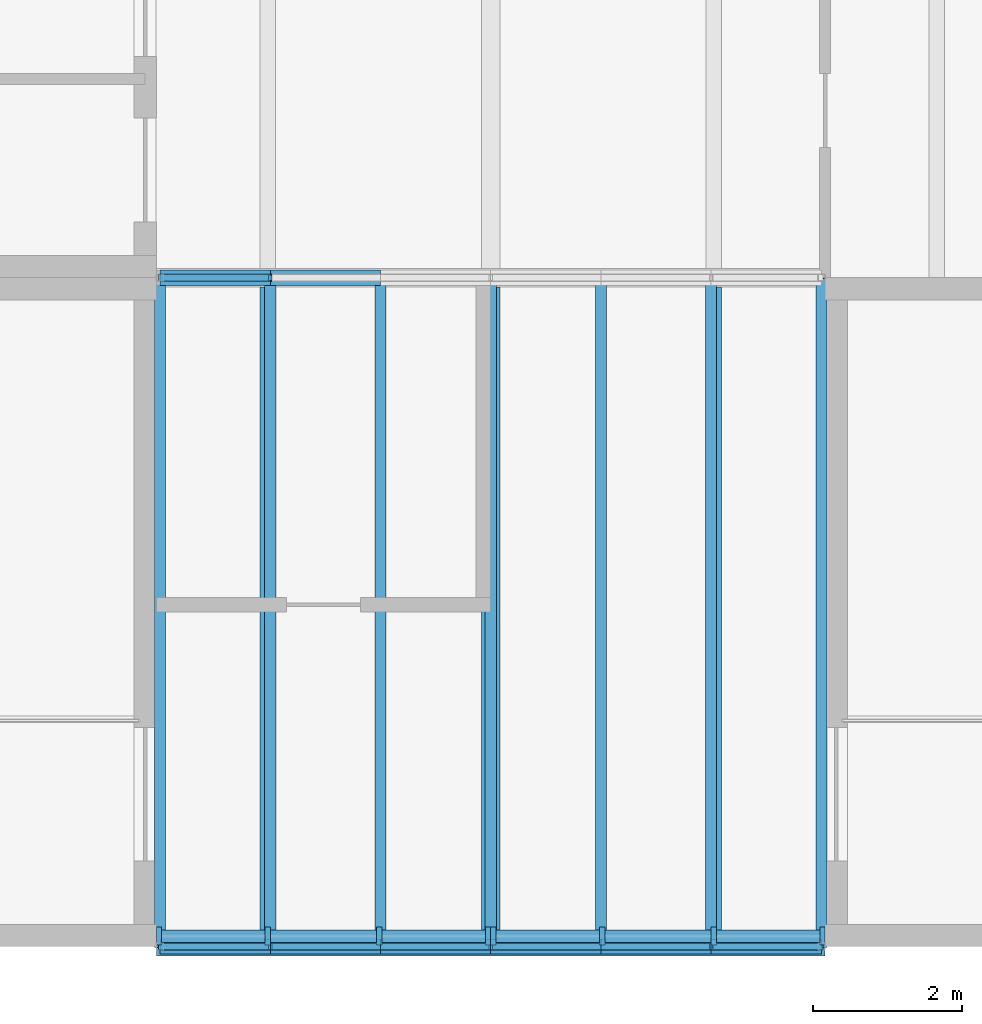
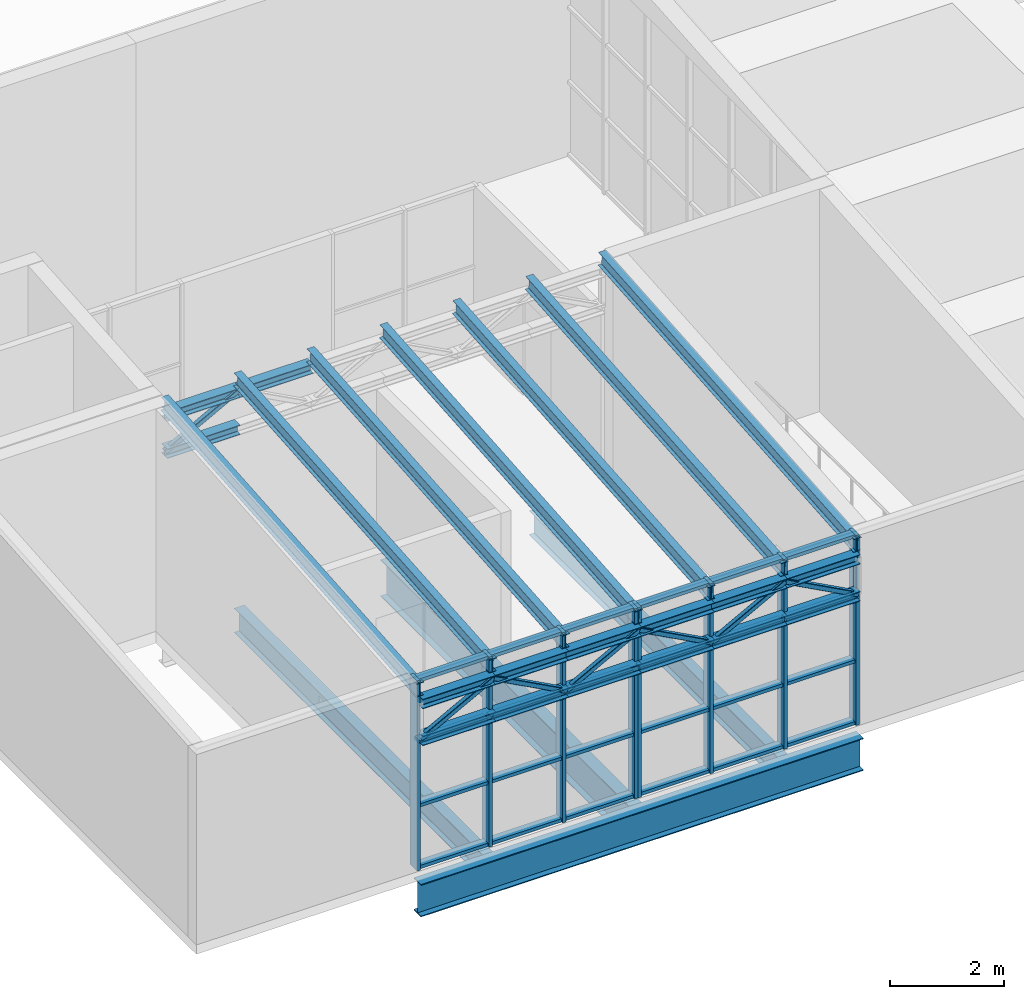
# One storey, part 8 of 61: 61 members, 4 beams, 2 elements without a shape of their own.
"""IFC4 building model written with IfcOpenShell, lengths in metres."""

from ifc_helpers import new_model, si_unit, direction, frame, origin, origin_2d, place, context, subcontext, project, spatial, rectangle, hollow_rectangle, i_section, extrude, material, layer, layer_set, material_profile, profile_set, type_object, element, aggregate, save


model = new_model("IFC4")

# Units and contexts
model_context = context("Model", 3, precision=1e-05, world=origin(), true_north=direction((0.0, 1.0)))
body_context = subcontext(model_context, "Body", "Model", "MODEL_VIEW")
ifc_project = project(units=[si_unit("LENGTHUNIT", "METRE"), si_unit("AREAUNIT", "SQUARE_METRE"), si_unit("VOLUMEUNIT", "CUBIC_METRE"), si_unit("PLANEANGLEUNIT", "RADIAN"), si_unit("MASSUNIT", "GRAM", prefix="KILO")], contexts=[model_context])

# Site, building, storey
site_placement = place(None, origin())
site = spatial("IfcSite", under=ifc_project, at=site_placement, CompositionType="ELEMENT")
building_placement = place(site_placement, origin())
building = spatial("IfcBuilding", under=site, at=building_placement, Name="Halyard Row Museum", CompositionType="ELEMENT")
storey_placement = place(building_placement, frame((0.0, 0.0, 9.199951171875)))
storey = spatial("IfcBuildingStorey", under=building, at=storey_placement, Name="L02", CompositionType="ELEMENT", Elevation=9.199951171875)

# Curtain wall, members
ifc_material_1 = material(Name="Acoustic laminated double glazed unit", Category="glass")
ifc_layer = layer(ifc_material_1, 0.239990234375)
ifc_layer_set = layer_set([ifc_layer], Name="Acoustic laminated double glazed unit")
curtain_wall_type = type_object("IfcCurtainWallType", Name="Curtain wall foyer 240 deep", PredefinedType="NOTDEFINED", material=ifc_layer_set)
curtain_wall_1_placement = place(storey_placement, origin())
curtain_wall_1 = element("IfcCurtainWall", 1, at=curtain_wall_1_placement, inside=storey, type_object=curtain_wall_type, Name="Curtain wall CW041", PredefinedType="NOTDEFINED")
ifc_material_2 = material(Name="Powder-coated aluminium section", Category="aluminium")
ifc_material_profile_1 = material_profile(ifc_material_2, rectangle(XDim=0.239990234375, YDim=0.070068359375, at=origin_2d()), Name="240x70 mullion")
ifc_profile_set_1 = profile_set([ifc_material_profile_1], Name="Powder-coated aluminium section")
member_type_1 = type_object("IfcMemberType", Name="Curtain wall mullion CM4 70 x 240", PredefinedType="MULLION", material=ifc_profile_set_1)
member_1_placement = place(storey_placement, frame((4.534912109375, 0.139892578125, 0.0), z_axis=(0.0, 0.0, 1.0), x_axis=(0.0, 1.0, 0.0)))
member_1 = element("IfcMember", 2, at=member_1_placement, type_object=member_type_1, Name="CW041 mullion 1", PredefinedType="MULLION", context=body_context, shape_type="SweptSolid", body=[
    extrude(rectangle(XDim=0.239990234375, YDim=0.070068359375, at=origin_2d()), origin(), (0.0, 0.0, 1.0), 4.08935546875),
])
member_2_placement = place(storey_placement, frame((6.0, 0.139892578125, 0.0), z_axis=(0.0, 0.0, 1.0), x_axis=(0.0, 1.0, 0.0)))
member_2 = element("IfcMember", 3, at=member_2_placement, type_object=member_type_1, Name="CW041 mullion 2", PredefinedType="MULLION", context=body_context, shape_type="SweptSolid", body=[
    extrude(rectangle(XDim=0.239990234375, YDim=0.070068359375, at=origin_2d()), origin(), (0.0, 0.0, 1.0), 4.08935546875),
])
member_3_placement = place(storey_placement, frame((7.5, 0.139892578125, 0.0), z_axis=(0.0, 0.0, 1.0), x_axis=(0.0, 1.0, 0.0)))
member_3 = element("IfcMember", 4, at=member_3_placement, type_object=member_type_1, Name="CW041 mullion 3", PredefinedType="MULLION", context=body_context, shape_type="SweptSolid", body=[
    extrude(rectangle(XDim=0.239990234375, YDim=0.070068359375, at=origin_2d()), origin(), (0.0, 0.0, 1.0), 4.08935546875),
])
member_4_placement = place(storey_placement, frame((8.965087890625, 0.139892578125, 0.0), z_axis=(0.0, 0.0, 1.0), x_axis=(0.0, 1.0, 0.0)))
member_4 = element("IfcMember", 5, at=member_4_placement, type_object=member_type_1, Name="CW041 mullion 4", PredefinedType="MULLION", context=body_context, shape_type="SweptSolid", body=[
    extrude(rectangle(XDim=0.239990234375, YDim=0.070068359375, at=origin_2d()), origin(), (0.0, 0.0, 1.0), 4.08935546875),
])

curtain_wall_2_placement = place(storey_placement, origin())
curtain_wall_2 = element("IfcCurtainWall", 6, at=curtain_wall_2_placement, inside=storey, type_object=curtain_wall_type, Name="Curtain wall CW042", PredefinedType="NOTDEFINED")
member_5_placement = place(storey_placement, frame((9.034912109375, 0.139892578125, 0.0), z_axis=(0.0, 0.0, 1.0), x_axis=(0.0, 1.0, 0.0)))
member_5 = element("IfcMember", 7, at=member_5_placement, type_object=member_type_1, Name="CW042 mullion 1", PredefinedType="MULLION", context=body_context, shape_type="SweptSolid", body=[
    extrude(rectangle(XDim=0.239990234375, YDim=0.070068359375, at=origin_2d()), origin(), (0.0, 0.0, 1.0), 4.08935546875),
])
member_6_placement = place(storey_placement, frame((10.5, 0.139892578125, 0.0), z_axis=(0.0, 0.0, 1.0), x_axis=(0.0, 1.0, 0.0)))
member_6 = element("IfcMember", 8, at=member_6_placement, type_object=member_type_1, Name="CW042 mullion 2", PredefinedType="MULLION", context=body_context, shape_type="SweptSolid", body=[
    extrude(rectangle(XDim=0.239990234375, YDim=0.070068359375, at=origin_2d()), origin(), (0.0, 0.0, 1.0), 4.08935546875),
])
member_7_placement = place(storey_placement, frame((12.0, 0.139892578125, 0.0), z_axis=(0.0, 0.0, 1.0), x_axis=(0.0, 1.0, 0.0)))
member_7 = element("IfcMember", 9, at=member_7_placement, type_object=member_type_1, Name="CW042 mullion 3", PredefinedType="MULLION", context=body_context, shape_type="SweptSolid", body=[
    extrude(rectangle(XDim=0.239990234375, YDim=0.070068359375, at=origin_2d()), origin(), (0.0, 0.0, 1.0), 4.08935546875),
])
member_8_placement = place(storey_placement, frame((13.465087890625, 0.139892578125, 0.0), z_axis=(0.0, 0.0, 1.0), x_axis=(0.0, 1.0, 0.0)))
member_8 = element("IfcMember", 10, at=member_8_placement, type_object=member_type_1, Name="CW042 mullion 4", PredefinedType="MULLION", context=body_context, shape_type="SweptSolid", body=[
    extrude(rectangle(XDim=0.239990234375, YDim=0.070068359375, at=origin_2d()), origin(), (0.0, 0.0, 1.0), 4.08935546875),
])

# Member
ifc_material_3 = material(Name="Powder-coated aluminium section", Category="aluminium")
ifc_material_profile_2 = material_profile(ifc_material_3, rectangle(XDim=0.169921875, YDim=0.070068359375, at=origin_2d()), Name="170x70 transom")
ifc_profile_set_2 = profile_set([ifc_material_profile_2], Name="Powder-coated aluminium section")
member_type_2 = type_object("IfcMemberType", Name="Curtain wall transom CT4 70 x 170", PredefinedType="USERDEFINED", material=ifc_profile_set_2)
member_9_placement = place(storey_placement, frame((4.570068359375, 0.139892578125, 0.03515625), z_axis=(1.0, 0.0, 0.0), x_axis=(0.0, 1.0, 0.0)))
member_9 = element("IfcMember", 11, at=member_9_placement, type_object=member_type_2, Name="CW041 transom 1.1", ObjectType="TRANSOM", PredefinedType="USERDEFINED", context=body_context, shape_type="SweptSolid", body=[
    extrude(rectangle(XDim=0.169921875, YDim=0.070068359375, at=origin_2d()), origin(), (0.0, 0.0, 1.0), 1.39501953125),
])

member_10_placement = place(storey_placement, frame((4.570068359375, 0.139892578125, 1.363037109375), z_axis=(1.0, 0.0, 0.0), x_axis=(0.0, 1.0, 0.0)))
member_10 = element("IfcMember", 12, at=member_10_placement, type_object=member_type_2, Name="CW041 transom 1.2", ObjectType="TRANSOM", PredefinedType="USERDEFINED", context=body_context, shape_type="SweptSolid", body=[
    extrude(rectangle(XDim=0.169921875, YDim=0.070068359375, at=origin_2d()), origin(), (0.0, 0.0, 1.0), 1.39501953125),
])

member_11_placement = place(storey_placement, frame((4.570068359375, 0.139892578125, 2.72607421875), z_axis=(1.0, 0.0, 0.0), x_axis=(0.0, 1.0, 0.0)))
member_11 = element("IfcMember", 13, at=member_11_placement, type_object=member_type_2, Name="CW041 transom 1.3", ObjectType="TRANSOM", PredefinedType="USERDEFINED", context=body_context, shape_type="SweptSolid", body=[
    extrude(rectangle(XDim=0.169921875, YDim=0.070068359375, at=origin_2d()), origin(), (0.0, 0.0, 1.0), 1.39501953125),
])

member_12_placement = place(storey_placement, frame((4.570068359375, 0.139892578125, 4.05419921875), z_axis=(1.0, 0.0, 0.0), x_axis=(0.0, 1.0, 0.0)))
member_12 = element("IfcMember", 14, at=member_12_placement, type_object=member_type_2, Name="CW041 transom 1.4", ObjectType="TRANSOM", PredefinedType="USERDEFINED", context=body_context, shape_type="SweptSolid", body=[
    extrude(rectangle(XDim=0.169921875, YDim=0.070068359375, at=origin_2d()), origin(), (0.0, 0.0, 1.0), 1.39501953125),
])

member_13_placement = place(storey_placement, frame((6.034912109375, 0.139892578125, 0.03515625), z_axis=(1.0, 0.0, 0.0), x_axis=(0.0, 1.0, 0.0)))
member_13 = element("IfcMember", 15, at=member_13_placement, type_object=member_type_2, Name="CW041 transom 2.1", ObjectType="TRANSOM", PredefinedType="USERDEFINED", context=body_context, shape_type="SweptSolid", body=[
    extrude(rectangle(XDim=0.169921875, YDim=0.070068359375, at=origin_2d()), origin(), (0.0, 0.0, 1.0), 1.43017578125),
])

member_14_placement = place(storey_placement, frame((6.034912109375, 0.139892578125, 1.363037109375), z_axis=(1.0, 0.0, 0.0), x_axis=(0.0, 1.0, 0.0)))
member_14 = element("IfcMember", 16, at=member_14_placement, type_object=member_type_2, Name="CW041 transom 2.2", ObjectType="TRANSOM", PredefinedType="USERDEFINED", context=body_context, shape_type="SweptSolid", body=[
    extrude(rectangle(XDim=0.169921875, YDim=0.070068359375, at=origin_2d()), origin(), (0.0, 0.0, 1.0), 1.43017578125),
])

member_15_placement = place(storey_placement, frame((6.034912109375, 0.139892578125, 2.72607421875), z_axis=(1.0, 0.0, 0.0), x_axis=(0.0, 1.0, 0.0)))
member_15 = element("IfcMember", 17, at=member_15_placement, type_object=member_type_2, Name="CW041 transom 2.3", ObjectType="TRANSOM", PredefinedType="USERDEFINED", context=body_context, shape_type="SweptSolid", body=[
    extrude(rectangle(XDim=0.169921875, YDim=0.070068359375, at=origin_2d()), origin(), (0.0, 0.0, 1.0), 1.43017578125),
])

member_16_placement = place(storey_placement, frame((6.034912109375, 0.139892578125, 4.05419921875), z_axis=(1.0, 0.0, 0.0), x_axis=(0.0, 1.0, 0.0)))
member_16 = element("IfcMember", 18, at=member_16_placement, type_object=member_type_2, Name="CW041 transom 2.4", ObjectType="TRANSOM", PredefinedType="USERDEFINED", context=body_context, shape_type="SweptSolid", body=[
    extrude(rectangle(XDim=0.169921875, YDim=0.070068359375, at=origin_2d()), origin(), (0.0, 0.0, 1.0), 1.43017578125),
])

member_17_placement = place(storey_placement, frame((7.534912109375, 0.139892578125, 0.03515625), z_axis=(1.0, 0.0, 0.0), x_axis=(0.0, 1.0, 0.0)))
member_17 = element("IfcMember", 19, at=member_17_placement, type_object=member_type_2, Name="CW041 transom 3.1", ObjectType="TRANSOM", PredefinedType="USERDEFINED", context=body_context, shape_type="SweptSolid", body=[
    extrude(rectangle(XDim=0.169921875, YDim=0.070068359375, at=origin_2d()), origin(), (0.0, 0.0, 1.0), 1.39501953125),
])

member_18_placement = place(storey_placement, frame((7.534912109375, 0.139892578125, 1.363037109375), z_axis=(1.0, 0.0, 0.0), x_axis=(0.0, 1.0, 0.0)))
member_18 = element("IfcMember", 20, at=member_18_placement, type_object=member_type_2, Name="CW041 transom 3.2", ObjectType="TRANSOM", PredefinedType="USERDEFINED", context=body_context, shape_type="SweptSolid", body=[
    extrude(rectangle(XDim=0.169921875, YDim=0.070068359375, at=origin_2d()), origin(), (0.0, 0.0, 1.0), 1.39501953125),
])

member_19_placement = place(storey_placement, frame((7.534912109375, 0.139892578125, 2.72607421875), z_axis=(1.0, 0.0, 0.0), x_axis=(0.0, 1.0, 0.0)))
member_19 = element("IfcMember", 21, at=member_19_placement, type_object=member_type_2, Name="CW041 transom 3.3", ObjectType="TRANSOM", PredefinedType="USERDEFINED", context=body_context, shape_type="SweptSolid", body=[
    extrude(rectangle(XDim=0.169921875, YDim=0.070068359375, at=origin_2d()), origin(), (0.0, 0.0, 1.0), 1.39501953125),
])

member_20_placement = place(storey_placement, frame((7.534912109375, 0.139892578125, 4.05419921875), z_axis=(1.0, 0.0, 0.0), x_axis=(0.0, 1.0, 0.0)))
member_20 = element("IfcMember", 22, at=member_20_placement, type_object=member_type_2, Name="CW041 transom 3.4", ObjectType="TRANSOM", PredefinedType="USERDEFINED", context=body_context, shape_type="SweptSolid", body=[
    extrude(rectangle(XDim=0.169921875, YDim=0.070068359375, at=origin_2d()), origin(), (0.0, 0.0, 1.0), 1.39501953125),
])

aggregate(curtain_wall_1, [member_1, member_2, member_3, member_4, member_9, member_10, member_11, member_12, member_13, member_14, member_15, member_16, member_17, member_18, member_19, member_20])

member_21_placement = place(storey_placement, frame((9.070068359375, 0.139892578125, 0.03515625), z_axis=(1.0, 0.0, 0.0), x_axis=(0.0, 1.0, 0.0)))
member_21 = element("IfcMember", 23, at=member_21_placement, type_object=member_type_2, Name="CW042 transom 1.1", ObjectType="TRANSOM", PredefinedType="USERDEFINED", context=body_context, shape_type="SweptSolid", body=[
    extrude(rectangle(XDim=0.169921875, YDim=0.070068359375, at=origin_2d()), origin(), (0.0, 0.0, 1.0), 1.39501953125),
])

member_22_placement = place(storey_placement, frame((9.070068359375, 0.139892578125, 1.363037109375), z_axis=(1.0, 0.0, 0.0), x_axis=(0.0, 1.0, 0.0)))
member_22 = element("IfcMember", 24, at=member_22_placement, type_object=member_type_2, Name="CW042 transom 1.2", ObjectType="TRANSOM", PredefinedType="USERDEFINED", context=body_context, shape_type="SweptSolid", body=[
    extrude(rectangle(XDim=0.169921875, YDim=0.070068359375, at=origin_2d()), origin(), (0.0, 0.0, 1.0), 1.39501953125),
])

member_23_placement = place(storey_placement, frame((9.070068359375, 0.139892578125, 2.72607421875), z_axis=(1.0, 0.0, 0.0), x_axis=(0.0, 1.0, 0.0)))
member_23 = element("IfcMember", 25, at=member_23_placement, type_object=member_type_2, Name="CW042 transom 1.3", ObjectType="TRANSOM", PredefinedType="USERDEFINED", context=body_context, shape_type="SweptSolid", body=[
    extrude(rectangle(XDim=0.169921875, YDim=0.070068359375, at=origin_2d()), origin(), (0.0, 0.0, 1.0), 1.39501953125),
])

member_24_placement = place(storey_placement, frame((9.070068359375, 0.139892578125, 4.05419921875), z_axis=(1.0, 0.0, 0.0), x_axis=(0.0, 1.0, 0.0)))
member_24 = element("IfcMember", 26, at=member_24_placement, type_object=member_type_2, Name="CW042 transom 1.4", ObjectType="TRANSOM", PredefinedType="USERDEFINED", context=body_context, shape_type="SweptSolid", body=[
    extrude(rectangle(XDim=0.169921875, YDim=0.070068359375, at=origin_2d()), origin(), (0.0, 0.0, 1.0), 1.39501953125),
])

member_25_placement = place(storey_placement, frame((10.534912109375, 0.139892578125, 0.03515625), z_axis=(1.0, 0.0, 0.0), x_axis=(0.0, 1.0, 0.0)))
member_25 = element("IfcMember", 27, at=member_25_placement, type_object=member_type_2, Name="CW042 transom 2.1", ObjectType="TRANSOM", PredefinedType="USERDEFINED", context=body_context, shape_type="SweptSolid", body=[
    extrude(rectangle(XDim=0.169921875, YDim=0.070068359375, at=origin_2d()), origin(), (0.0, 0.0, 1.0), 1.43017578125),
])

member_26_placement = place(storey_placement, frame((10.534912109375, 0.139892578125, 1.363037109375), z_axis=(1.0, 0.0, 0.0), x_axis=(0.0, 1.0, 0.0)))
member_26 = element("IfcMember", 28, at=member_26_placement, type_object=member_type_2, Name="CW042 transom 2.2", ObjectType="TRANSOM", PredefinedType="USERDEFINED", context=body_context, shape_type="SweptSolid", body=[
    extrude(rectangle(XDim=0.169921875, YDim=0.070068359375, at=origin_2d()), origin(), (0.0, 0.0, 1.0), 1.43017578125),
])

member_27_placement = place(storey_placement, frame((10.534912109375, 0.139892578125, 2.72607421875), z_axis=(1.0, 0.0, 0.0), x_axis=(0.0, 1.0, 0.0)))
member_27 = element("IfcMember", 29, at=member_27_placement, type_object=member_type_2, Name="CW042 transom 2.3", ObjectType="TRANSOM", PredefinedType="USERDEFINED", context=body_context, shape_type="SweptSolid", body=[
    extrude(rectangle(XDim=0.169921875, YDim=0.070068359375, at=origin_2d()), origin(), (0.0, 0.0, 1.0), 1.43017578125),
])

member_28_placement = place(storey_placement, frame((10.534912109375, 0.139892578125, 4.05419921875), z_axis=(1.0, 0.0, 0.0), x_axis=(0.0, 1.0, 0.0)))
member_28 = element("IfcMember", 30, at=member_28_placement, type_object=member_type_2, Name="CW042 transom 2.4", ObjectType="TRANSOM", PredefinedType="USERDEFINED", context=body_context, shape_type="SweptSolid", body=[
    extrude(rectangle(XDim=0.169921875, YDim=0.070068359375, at=origin_2d()), origin(), (0.0, 0.0, 1.0), 1.43017578125),
])

member_29_placement = place(storey_placement, frame((12.034912109375, 0.139892578125, 0.03515625), z_axis=(1.0, 0.0, 0.0), x_axis=(0.0, 1.0, 0.0)))
member_29 = element("IfcMember", 31, at=member_29_placement, type_object=member_type_2, Name="CW042 transom 3.1", ObjectType="TRANSOM", PredefinedType="USERDEFINED", context=body_context, shape_type="SweptSolid", body=[
    extrude(rectangle(XDim=0.169921875, YDim=0.070068359375, at=origin_2d()), origin(), (0.0, 0.0, 1.0), 1.39501953125),
])

member_30_placement = place(storey_placement, frame((12.034912109375, 0.139892578125, 1.363037109375), z_axis=(1.0, 0.0, 0.0), x_axis=(0.0, 1.0, 0.0)))
member_30 = element("IfcMember", 32, at=member_30_placement, type_object=member_type_2, Name="CW042 transom 3.2", ObjectType="TRANSOM", PredefinedType="USERDEFINED", context=body_context, shape_type="SweptSolid", body=[
    extrude(rectangle(XDim=0.169921875, YDim=0.070068359375, at=origin_2d()), origin(), (0.0, 0.0, 1.0), 1.39501953125),
])

member_31_placement = place(storey_placement, frame((12.034912109375, 0.139892578125, 2.72607421875), z_axis=(1.0, 0.0, 0.0), x_axis=(0.0, 1.0, 0.0)))
member_31 = element("IfcMember", 33, at=member_31_placement, type_object=member_type_2, Name="CW042 transom 3.3", ObjectType="TRANSOM", PredefinedType="USERDEFINED", context=body_context, shape_type="SweptSolid", body=[
    extrude(rectangle(XDim=0.169921875, YDim=0.070068359375, at=origin_2d()), origin(), (0.0, 0.0, 1.0), 1.39501953125),
])

member_32_placement = place(storey_placement, frame((12.034912109375, 0.139892578125, 4.05419921875), z_axis=(1.0, 0.0, 0.0), x_axis=(0.0, 1.0, 0.0)))
member_32 = element("IfcMember", 34, at=member_32_placement, type_object=member_type_2, Name="CW042 transom 3.4", ObjectType="TRANSOM", PredefinedType="USERDEFINED", context=body_context, shape_type="SweptSolid", body=[
    extrude(rectangle(XDim=0.169921875, YDim=0.070068359375, at=origin_2d()), origin(), (0.0, 0.0, 1.0), 1.39501953125),
])

aggregate(curtain_wall_2, [member_5, member_6, member_7, member_8, member_21, member_22, member_23, member_24, member_25, member_26, member_27, member_28, member_29, member_30, member_31, member_32])

# Beams
ifc_material_4 = material(Name="Steel Grade 300", Category="steel")
ifc_material_profile_3 = material_profile(ifc_material_4, i_section(OverallWidth=0.25, OverallDepth=0.699951171875, WebThickness=0.010009765625, FlangeThickness=0.02001953125, at=origin_2d()), Name="700WB130")
ifc_profile_set_3 = profile_set([ifc_material_profile_3], Name="Steel Grade 300")
beam_type_1 = type_object("IfcBeamType", Name="Edge beam 700WB130 (lowered 35)", PredefinedType="BEAM", material=ifc_profile_set_3)
beam_1_placement = place(storey_placement, frame((4.5, 0.0, -0.550048828125), z_axis=(1.0, 0.0, 0.0), x_axis=(0.0, 1.0, 0.0)))
element("IfcBeam", 35, at=beam_1_placement, inside=storey, type_object=beam_type_1, Name="Beam L02-001", PredefinedType="BEAM", context=body_context, shape_type="SweptSolid", body=[
    extrude(i_section(OverallWidth=0.25, OverallDepth=0.699951171875, WebThickness=0.010009765625, FlangeThickness=0.02001953125, at=origin_2d()), origin(), (0.0, 0.0, 1.0), 9.0),
])
ifc_material_5 = material(Name="Steel Grade 300", Category="steel")
ifc_material_profile_4 = material_profile(ifc_material_5, i_section(OverallWidth=0.25, OverallDepth=0.7919921875, WebThickness=0.010009765625, FlangeThickness=0.01611328125, at=origin_2d()), Name="800WB122")
ifc_profile_set_4 = profile_set([ifc_material_profile_4], Name="Steel Grade 300")
beam_type_2 = type_object("IfcBeamType", Name="Girder beam 800WB122 (lowered 35)", PredefinedType="BEAM", material=ifc_profile_set_4)
beam_2_placement = place(storey_placement, frame((9.0, 0.125, -0.595947265625), z_axis=(0.0, 1.0, 0.0), x_axis=(-1.0, 0.0, 0.0)))
element("IfcBeam", 36, at=beam_2_placement, inside=storey, type_object=beam_type_2, Name="Beam L02-046", PredefinedType="BEAM", context=body_context, shape_type="SweptSolid", body=[
    extrude(i_section(OverallWidth=0.25, OverallDepth=0.7919921875, WebThickness=0.010009765625, FlangeThickness=0.01611328125, at=origin_2d()), origin(), (0.0, 0.0, 1.0), 8.75),
])

# Members
ifc_material_6 = material(Name="Steel Grade 300", Category="steel")
ifc_material_profile_5 = material_profile(ifc_material_6, i_section(OverallWidth=0.14892578125, OverallDepth=0.298095703125, WebThickness=0.005615234375, FlangeThickness=0.008056640625, FilletRadius=0.012939453125, at=origin_2d()), Name="310UB32.0")
ifc_profile_set_5 = profile_set([ifc_material_profile_5], Name="Steel Grade 300")
member_type_3 = type_object("IfcMemberType", Name="Hall roof purlin 310UB32.0", PredefinedType="PURLIN", material=ifc_profile_set_5)
for number, where, z_axis, x_axis, name in (
    (37, (4.550048828125, 0.0, 3.900146484375), (0.0, 0.996815536467, 0.079741998075), (-1.0, 0.0, 0.0), "Hall roof purlin F1 1"),
    (38, (6.033447265625, 0.0, 3.900146484375), (0.0, 0.996815536467, 0.079741998075), (-1.0, 0.0, 0.0), "Hall roof purlin F1 2"),
    (39, (7.5166015625, 0.0, 3.900146484375), (0.0, 0.996815536467, 0.079741998075), (-1.0, 0.0, 0.0), "Hall roof purlin F1 3"),
    (40, (9.0, 0.0, 3.900146484375), (0.0, 0.996815536467, 0.079741998075), (-1.0, 0.0, 0.0), "Hall roof purlin F1 4"),
    (41, (10.4833984375, 0.0, 3.900146484375), (0.0, 0.996815536467, 0.079741998075), (-1.0, 0.0, 0.0), "Hall roof purlin F1 5"),
    (42, (11.966552734375, 0.0, 3.900146484375), (0.0, 0.996815536467, 0.079741998075), (-1.0, 0.0, 0.0), "Hall roof purlin F1 6"),
    (43, (13.449951171875, 0.0, 3.900146484375), (0.0, 0.996815536467, 0.079741998075), (-1.0, 0.0, 0.0), "Hall roof purlin F1 7"),
):
    element("IfcMember", number, at=place(storey_placement, frame(where, z_axis=z_axis, x_axis=x_axis)), inside=storey, type_object=member_type_3, Name=name, PredefinedType="PURLIN", context=body_context, shape_type="SweptSolid", body=[
        extrude(i_section(OverallWidth=0.14892578125, OverallDepth=0.298095703125, WebThickness=0.005615234375, FlangeThickness=0.008056640625, FilletRadius=0.012939453125, at=origin_2d()), origin(), (0.0, 0.0, 1.0), 9.02880859375),
    ])

# Beams
ifc_material_7 = material(Name="Steel Grade 300", Category="steel")
ifc_material_profile_6 = material_profile(ifc_material_7, i_section(OverallWidth=0.208984375, OverallDepth=0.5283203125, WebThickness=0.009521484375, FlangeThickness=0.01318359375, FilletRadius=0.013916015625, at=origin_2d()), Name="530UB82.0")
ifc_profile_set_6 = profile_set([ifc_material_profile_6], Name="Steel Grade 300")
beam_type_3 = type_object("IfcBeamType", Name="Secondary beam 530UB82.0 (lowered 35)", PredefinedType="BEAM", material=ifc_profile_set_6)
for number, where, z_axis, x_axis, name in (
    (44, (6.0, 0.125, -0.464111328125), (0.0, 1.0, 0.0), (-1.0, 0.0, 0.0), "Beam L02-093"),
    (45, (12.0, 0.125, -0.464111328125), (0.0, 1.0, 0.0), (-1.0, 0.0, 0.0), "Beam L02-094"),
):
    element("IfcBeam", number, at=place(storey_placement, frame(where, z_axis=z_axis, x_axis=x_axis)), inside=storey, type_object=beam_type_3, Name=name, PredefinedType="BEAM", context=body_context, shape_type="SweptSolid", body=[
        extrude(i_section(OverallWidth=0.208984375, OverallDepth=0.5283203125, WebThickness=0.009521484375, FlangeThickness=0.01318359375, FilletRadius=0.013916015625, at=origin_2d()), origin(), (0.0, 0.0, 1.0), 8.75),
    ])

# Members
ifc_material_8 = material(Name="Steel Grade 300", Category="steel")
ifc_material_profile_7 = material_profile(ifc_material_8, i_section(OverallWidth=0.2041015625, OverallDepth=0.206298828125, WebThickness=0.008056640625, FlangeThickness=0.012451171875, FilletRadius=0.011474609375, at=origin_2d()), Name="200UC52.2")
ifc_profile_set_7 = profile_set([ifc_material_profile_7], Name="Steel Grade 300")
member_type_4 = type_object("IfcMemberType", Name="Truss chord 200UC52.2 bottom foyer", PredefinedType="CHORD", material=ifc_profile_set_7)
member_33_placement = place(storey_placement, frame((4.550048828125, 0.0, 2.853759765625), z_axis=(1.0, 0.0, 0.0), x_axis=(0.0, 1.0, 0.0)))
element("IfcMember", 46, at=member_33_placement, inside=storey, type_object=member_type_4, Name="V3-RF1 bottom chord 1", PredefinedType="CHORD", context=body_context, shape_type="SweptSolid", body=[
    extrude(i_section(OverallWidth=0.2041015625, OverallDepth=0.206298828125, WebThickness=0.008056640625, FlangeThickness=0.012451171875, FilletRadius=0.011474609375, at=origin_2d()), origin(), (0.0, 0.0, 1.0), 1.4833984375),
])
member_34_placement = place(storey_placement, frame((6.033447265625, 0.0, 2.853759765625), z_axis=(1.0, 0.0, 0.0), x_axis=(0.0, 1.0, 0.0)))
element("IfcMember", 47, at=member_34_placement, inside=storey, type_object=member_type_4, Name="V3-RF1 bottom chord 2", PredefinedType="CHORD", context=body_context, shape_type="SweptSolid", body=[
    extrude(i_section(OverallWidth=0.2041015625, OverallDepth=0.206298828125, WebThickness=0.008056640625, FlangeThickness=0.012451171875, FilletRadius=0.011474609375, at=origin_2d()), origin(), (0.0, 0.0, 1.0), 1.483154296875),
])
for number, where, z_axis, x_axis, name in (
    (48, (7.5166015625, 0.0, 2.853759765625), (1.0, 0.0, 0.0), (0.0, 1.0, 0.0), "V3-RF1 bottom chord 3"),
    (49, (9.0, 0.0, 2.853759765625), (1.0, 0.0, 0.0), (0.0, 1.0, 0.0), "V3-RF1 bottom chord 4"),
):
    element("IfcMember", number, at=place(storey_placement, frame(where, z_axis=z_axis, x_axis=x_axis)), inside=storey, type_object=member_type_4, Name=name, PredefinedType="CHORD", context=body_context, shape_type="SweptSolid", body=[
        extrude(i_section(OverallWidth=0.2041015625, OverallDepth=0.206298828125, WebThickness=0.008056640625, FlangeThickness=0.012451171875, FilletRadius=0.011474609375, at=origin_2d()), origin(), (0.0, 0.0, 1.0), 1.4833984375),
    ])
member_35_placement = place(storey_placement, frame((10.4833984375, 0.0, 2.853759765625), z_axis=(1.0, 0.0, 0.0), x_axis=(0.0, 1.0, 0.0)))
element("IfcMember", 50, at=member_35_placement, inside=storey, type_object=member_type_4, Name="V3-RF1 bottom chord 5", PredefinedType="CHORD", context=body_context, shape_type="SweptSolid", body=[
    extrude(i_section(OverallWidth=0.2041015625, OverallDepth=0.206298828125, WebThickness=0.008056640625, FlangeThickness=0.012451171875, FilletRadius=0.011474609375, at=origin_2d()), origin(), (0.0, 0.0, 1.0), 1.483154296875),
])
for number, where, z_axis, x_axis, name in (
    (51, (11.966552734375, 0.0, 2.853759765625), (1.0, 0.0, 0.0), (0.0, 1.0, 0.0), "V3-RF1 bottom chord 6"),
    (52, (4.550048828125, 9.0, 3.57373046875), (1.0, 0.0, 0.0), (0.0, 1.0, 0.0), "V3-RF2 bottom chord 1"),
):
    element("IfcMember", number, at=place(storey_placement, frame(where, z_axis=z_axis, x_axis=x_axis)), inside=storey, type_object=member_type_4, Name=name, PredefinedType="CHORD", context=body_context, shape_type="SweptSolid", body=[
        extrude(i_section(OverallWidth=0.2041015625, OverallDepth=0.206298828125, WebThickness=0.008056640625, FlangeThickness=0.012451171875, FilletRadius=0.011474609375, at=origin_2d()), origin(), (0.0, 0.0, 1.0), 1.4833984375),
    ])
ifc_material_9 = material(Name="Steel Grade 300", Category="steel")
ifc_material_profile_8 = material_profile(ifc_material_9, i_section(OverallWidth=0.2041015625, OverallDepth=0.206298828125, WebThickness=0.008056640625, FlangeThickness=0.012451171875, FilletRadius=0.011474609375, at=origin_2d()), Name="200UC52.2")
ifc_profile_set_8 = profile_set([ifc_material_profile_8], Name="Steel Grade 300")
member_type_5 = type_object("IfcMemberType", Name="Truss chord 200UC52.2 top foyer", PredefinedType="CHORD", material=ifc_profile_set_8)
member_36_placement = place(storey_placement, frame((4.550048828125, 0.0, 3.6474609375), z_axis=(1.0, 0.0, 0.0), x_axis=(0.0, 1.0, 0.0)))
element("IfcMember", 53, at=member_36_placement, inside=storey, type_object=member_type_5, Name="V3-RF1 top chord 1", PredefinedType="CHORD", context=body_context, shape_type="SweptSolid", body=[
    extrude(i_section(OverallWidth=0.2041015625, OverallDepth=0.206298828125, WebThickness=0.008056640625, FlangeThickness=0.012451171875, FilletRadius=0.011474609375, at=origin_2d()), origin(), (0.0, 0.0, 1.0), 1.4833984375),
])
member_37_placement = place(storey_placement, frame((6.033447265625, 0.0, 3.6474609375), z_axis=(1.0, 0.0, 0.0), x_axis=(0.0, 1.0, 0.0)))
element("IfcMember", 54, at=member_37_placement, inside=storey, type_object=member_type_5, Name="V3-RF1 top chord 2", PredefinedType="CHORD", context=body_context, shape_type="SweptSolid", body=[
    extrude(i_section(OverallWidth=0.2041015625, OverallDepth=0.206298828125, WebThickness=0.008056640625, FlangeThickness=0.012451171875, FilletRadius=0.011474609375, at=origin_2d()), origin(), (0.0, 0.0, 1.0), 1.483154296875),
])
for number, where, z_axis, x_axis, name in (
    (55, (7.5166015625, 0.0, 3.6474609375), (1.0, 0.0, 0.0), (0.0, 1.0, 0.0), "V3-RF1 top chord 3"),
    (56, (9.0, 0.0, 3.6474609375), (1.0, 0.0, 0.0), (0.0, 1.0, 0.0), "V3-RF1 top chord 4"),
):
    element("IfcMember", number, at=place(storey_placement, frame(where, z_axis=z_axis, x_axis=x_axis)), inside=storey, type_object=member_type_5, Name=name, PredefinedType="CHORD", context=body_context, shape_type="SweptSolid", body=[
        extrude(i_section(OverallWidth=0.2041015625, OverallDepth=0.206298828125, WebThickness=0.008056640625, FlangeThickness=0.012451171875, FilletRadius=0.011474609375, at=origin_2d()), origin(), (0.0, 0.0, 1.0), 1.4833984375),
    ])
member_38_placement = place(storey_placement, frame((10.4833984375, 0.0, 3.6474609375), z_axis=(1.0, 0.0, 0.0), x_axis=(0.0, 1.0, 0.0)))
element("IfcMember", 57, at=member_38_placement, inside=storey, type_object=member_type_5, Name="V3-RF1 top chord 5", PredefinedType="CHORD", context=body_context, shape_type="SweptSolid", body=[
    extrude(i_section(OverallWidth=0.2041015625, OverallDepth=0.206298828125, WebThickness=0.008056640625, FlangeThickness=0.012451171875, FilletRadius=0.011474609375, at=origin_2d()), origin(), (0.0, 0.0, 1.0), 1.483154296875),
])
for number, where, z_axis, x_axis, name in (
    (58, (11.966552734375, 0.0, 3.6474609375), (1.0, 0.0, 0.0), (0.0, 1.0, 0.0), "V3-RF1 top chord 6"),
    (59, (4.550048828125, 9.0, 4.367431640625), (1.0, 0.0, 0.0), (0.0, 1.0, 0.0), "V3-RF2 top chord 1"),
):
    element("IfcMember", number, at=place(storey_placement, frame(where, z_axis=z_axis, x_axis=x_axis)), inside=storey, type_object=member_type_5, Name=name, PredefinedType="CHORD", context=body_context, shape_type="SweptSolid", body=[
        extrude(i_section(OverallWidth=0.2041015625, OverallDepth=0.206298828125, WebThickness=0.008056640625, FlangeThickness=0.012451171875, FilletRadius=0.011474609375, at=origin_2d()), origin(), (0.0, 0.0, 1.0), 1.4833984375),
    ])
member_39_placement = place(storey_placement, frame((6.033447265625, 9.0, 4.367431640625), z_axis=(1.0, 0.0, 0.0), x_axis=(0.0, 1.0, 0.0)))
element("IfcMember", 60, at=member_39_placement, inside=storey, type_object=member_type_5, Name="V3-RF2 top chord 2", PredefinedType="CHORD", context=body_context, shape_type="SweptSolid", body=[
    extrude(i_section(OverallWidth=0.2041015625, OverallDepth=0.206298828125, WebThickness=0.008056640625, FlangeThickness=0.012451171875, FilletRadius=0.011474609375, at=origin_2d()), origin(), (0.0, 0.0, 1.0), 1.483154296875),
])
ifc_material_10 = material(Name="Steel Grade C350L0", Category="steel")
ifc_material_profile_9 = material_profile(ifc_material_10, hollow_rectangle(XDim=0.10009765625, YDim=0.10009765625, WallThickness=0.006103515625, InnerFilletRadius=0.009033203125, OuterFilletRadius=0.014892578125, at=origin_2d()), Name="100x100x6.0SHS")
ifc_profile_set_9 = profile_set([ifc_material_profile_9], Name="Steel Grade C350L0")
member_type_6 = type_object("IfcMemberType", Name="Truss diagonal 100x100x6.0SHS", PredefinedType="BRACE", material=ifc_profile_set_9)
member_40_placement = place(storey_placement, frame((4.550048828125, 0.0, 2.853759765625), z_axis=(0.881721474024, 0.0, 0.471770327856), x_axis=(0.0, 1.0, 0.0)))
element("IfcMember", 61, at=member_40_placement, inside=storey, type_object=member_type_6, Name="V3-RF1 diagonal 1", PredefinedType="BRACE", context=body_context, shape_type="SweptSolid", body=[
    extrude(hollow_rectangle(XDim=0.10009765625, YDim=0.10009765625, WallThickness=0.006103515625, InnerFilletRadius=0.009033203125, OuterFilletRadius=0.014892578125, at=origin_2d()), origin(), (0.0, 0.0, 1.0), 1.682373046875),
])
member_41_placement = place(storey_placement, frame((6.033447265625, 0.0, 3.6474609375), z_axis=(0.881689169879, 0.0, -0.471830698152), x_axis=(0.0, 1.0, 0.0)))
element("IfcMember", 62, at=member_41_placement, inside=storey, type_object=member_type_6, Name="V3-RF1 diagonal 2", PredefinedType="BRACE", context=body_context, shape_type="SweptSolid", body=[
    extrude(hollow_rectangle(XDim=0.10009765625, YDim=0.10009765625, WallThickness=0.006103515625, InnerFilletRadius=0.009033203125, OuterFilletRadius=0.014892578125, at=origin_2d()), origin(), (0.0, 0.0, 1.0), 1.68212890625),
])
for number, where, z_axis, x_axis, name in (
    (63, (7.5166015625, 0.0, 2.853759765625), (0.881721474024, 0.0, 0.471770327856), (0.0, 1.0, 0.0), "V3-RF1 diagonal 3"),
    (64, (9.0, 0.0, 3.6474609375), (0.881721474024, 0.0, -0.471770327856), (0.0, 1.0, 0.0), "V3-RF1 diagonal 4"),
):
    element("IfcMember", number, at=place(storey_placement, frame(where, z_axis=z_axis, x_axis=x_axis)), inside=storey, type_object=member_type_6, Name=name, PredefinedType="BRACE", context=body_context, shape_type="SweptSolid", body=[
        extrude(hollow_rectangle(XDim=0.10009765625, YDim=0.10009765625, WallThickness=0.006103515625, InnerFilletRadius=0.009033203125, OuterFilletRadius=0.014892578125, at=origin_2d()), origin(), (0.0, 0.0, 1.0), 1.682373046875),
    ])
member_42_placement = place(storey_placement, frame((10.4833984375, 0.0, 2.853759765625), z_axis=(0.881689169879, 0.0, 0.471830698152), x_axis=(0.0, 1.0, 0.0)))
element("IfcMember", 65, at=member_42_placement, inside=storey, type_object=member_type_6, Name="V3-RF1 diagonal 5", PredefinedType="BRACE", context=body_context, shape_type="SweptSolid", body=[
    extrude(hollow_rectangle(XDim=0.10009765625, YDim=0.10009765625, WallThickness=0.006103515625, InnerFilletRadius=0.009033203125, OuterFilletRadius=0.014892578125, at=origin_2d()), origin(), (0.0, 0.0, 1.0), 1.68212890625),
])
for number, where, z_axis, x_axis, name in (
    (66, (11.966552734375, 0.0, 3.6474609375), (0.881721474024, 0.0, -0.471770327856), (0.0, 1.0, 0.0), "V3-RF1 diagonal 6"),
    (67, (4.550048828125, 9.0, 3.57373046875), (0.881721474024, 0.0, 0.471770327856), (0.0, 1.0, 0.0), "V3-RF2 diagonal 1"),
):
    element("IfcMember", number, at=place(storey_placement, frame(where, z_axis=z_axis, x_axis=x_axis)), inside=storey, type_object=member_type_6, Name=name, PredefinedType="BRACE", context=body_context, shape_type="SweptSolid", body=[
        extrude(hollow_rectangle(XDim=0.10009765625, YDim=0.10009765625, WallThickness=0.006103515625, InnerFilletRadius=0.009033203125, OuterFilletRadius=0.014892578125, at=origin_2d()), origin(), (0.0, 0.0, 1.0), 1.682373046875),
    ])

save(model, "model.ifc")
